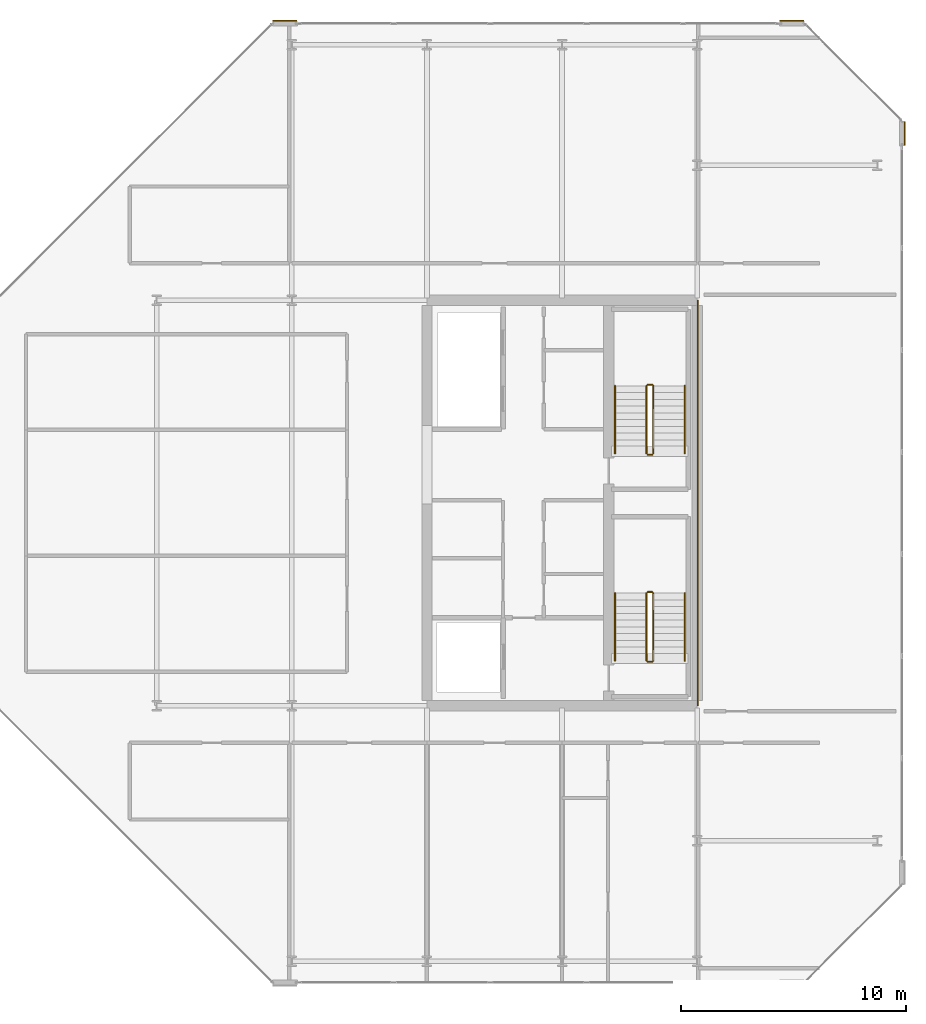
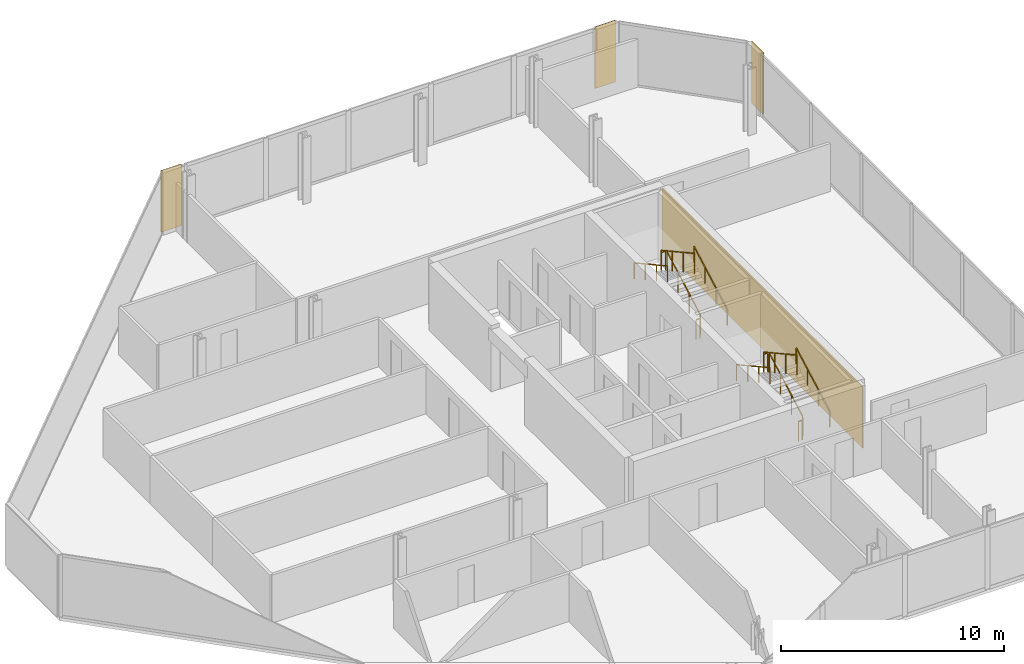
# One storey, part 17 of 17: 12 railings, 4 coverings.
"""IFC4 building model written with IfcOpenShell, lengths in metres."""

from ifc_helpers import new_model, si_unit, direction, frame, origin, origin_2d, place, context, subcontext, project, spatial, rectangle, extrude, material, layer, layer_set, type_object, element, save


model = new_model("IFC4")

# Units and contexts
model_context = context("Model", 3, precision=1e-05, world=origin(), true_north=direction((0.0, 1.0)))
body_context = subcontext(model_context, "Body", "Model", "MODEL_VIEW")
ifc_project = project(units=[si_unit("LENGTHUNIT", "METRE"), si_unit("AREAUNIT", "SQUARE_METRE"), si_unit("VOLUMEUNIT", "CUBIC_METRE"), si_unit("PLANEANGLEUNIT", "RADIAN"), si_unit("MASSUNIT", "GRAM", prefix="KILO")], contexts=[model_context])

# Site, building, storey
site_placement = place(None, origin())
site = spatial("IfcSite", under=ifc_project, at=site_placement, CompositionType="ELEMENT")
building_placement = place(site_placement, origin())
building = spatial("IfcBuilding", under=site, at=building_placement, Name="Tanjung Sevakor Pilgrim Tower", CompositionType="ELEMENT")
storey_placement = place(building_placement, frame((0.0, 0.0, 267.9599609375)))
storey = spatial("IfcBuildingStorey", under=building, at=storey_placement, Name="L75", CompositionType="ELEMENT", Elevation=267.9599609375)

# Coverings
ifc_material_1 = material(Name="Reconstructed Limestone Cladding", Category="masonry")
ifc_layer = layer(ifc_material_1, 0.044921875)
ifc_layer_set = layer_set([ifc_layer], Name="COV-CLAD-LIMESTONE")
covering_type = type_object("IfcCoveringType", Name="COV-CLAD-LIMESTONE", PredefinedType="CLADDING", material=ifc_layer_set)
for number, where, z_axis, x_axis, name in (
    (1, (99.222412109375, 50.00439453125, 0.02001953125), (0.0, 0.0, 1.0), (0.0, 1.0, 0.0), "L75 Warm Limestone Wall Cladding EW-CRN2-L75-EAST-2-1"),
    (2, (94.204345703125, 55.0224609375, 0.02001953125), (0.0, 0.0, 1.0), (-1.0, 0.0, 0.0), "L75 Warm Limestone Wall Cladding EW-CRN1-L75-EAST-4-1"),
    (3, (71.695556640625, 55.0224609375, 0.02001953125), (0.0, 0.0, 1.0), (-1.0, 0.0, 0.0), "L75 Warm Limestone Wall Cladding EW-CRN2-L75-EAST-4-1"),
):
    element("IfcCovering", number, at=place(storey_placement, frame(where, z_axis=z_axis, x_axis=x_axis)), inside=storey, type_object=covering_type, Name=name, PredefinedType="CLADDING", context=body_context, shape_type="SweptSolid", body=[
        extrude(rectangle(XDim=1.06005859375, YDim=0.044921875, at=origin_2d()), origin(), (0.0, 0.0, 1.0), 3.3701171875),
    ])
covering_placement = place(storey_placement, frame((90.0224609375, 33.60009765625, 0.02001953125), z_axis=(0.0, 0.0, 1.0), x_axis=(1.0, 0.0, 0.0)))
element("IfcCovering", 4, at=covering_placement, inside=storey, type_object=covering_type, Name="L75 Expressed Core Warm Limestone Cladding E", PredefinedType="CLADDING", context=body_context, shape_type="SweptSolid", body=[
    extrude(rectangle(XDim=0.044921875, YDim=18.0, at=origin_2d()), origin(), (0.0, 0.0, 1.0), 3.3701171875),
])

# Railings
ifc_material_2 = material(Name="Steel S355J2", Category="steel")
railing_type_1 = type_object("IfcRailingType", Name="RL-STAIR-GUARD", PredefinedType="GUARDRAIL", material=ifc_material_2)
railing_1_placement = place(storey_placement, frame((88.050048828125, 26.60009765625, 0.1650390625)))
element("IfcRailing", 5, at=railing_1_placement, inside=storey, type_object=railing_type_1, Name="L75 TS-E1 stair guard 1", PredefinedType="GUARDRAIL", context=body_context, shape_type="SweptSolid", body=[
    extrude(rectangle(XDim=0.0479, YDim=0.0479), frame((0.0, 0.0, 1.076171875), z_axis=(0.0, 0.876227952683, 0.48189685093), x_axis=(-1.0, 0.0, 0.0)), (0.0, 0.0, 1.0), 3.423828125),
    extrude(rectangle(XDim=0.042, YDim=0.042), origin(), (0.0, 0.0, 1.0), 1.052001953125),
    extrude(rectangle(XDim=0.042, YDim=0.042), frame((0.0, 1.0, 0.550048828125)), (0.0, 0.0, 1.0), 1.052001953125),
    extrude(rectangle(XDim=0.042, YDim=0.042), frame((0.0, 2.0, 1.099853515625)), (0.0, 0.0, 1.0), 1.052001953125),
    extrude(rectangle(XDim=0.042, YDim=0.042), frame((0.0, 3.0, 1.64990234375)), (0.0, 0.0, 1.0), 1.052001953125),
])
railing_2_placement = place(storey_placement, frame((88.0, 29.64990234375, 1.81494140625)))
element("IfcRailing", 6, at=railing_2_placement, inside=storey, type_object=railing_type_1, Name="L75 TS-E1 stair guard 2", PredefinedType="GUARDRAIL", context=body_context, shape_type="SweptSolid", body=[
    extrude(rectangle(XDim=0.0479, YDim=0.0479), frame((0.0, 0.0, 1.076171875), z_axis=(-1.0, 0.0, 0.0), x_axis=(0.0, -1.0, 0.0)), (0.0, 0.0, 1.0), 0.199951171875),
    extrude(rectangle(XDim=0.042, YDim=0.042), origin(), (0.0, 0.0, 1.0), 1.052001953125),
    extrude(rectangle(XDim=0.042, YDim=0.042), frame((-0.199951171875, 0.0, 0.0)), (0.0, 0.0, 1.0), 1.052001953125),
])
railing_3_placement = place(storey_placement, frame((87.75, 29.60009765625, 1.97998046875)))
element("IfcRailing", 7, at=railing_3_placement, inside=storey, type_object=railing_type_1, Name="L75 TS-E1 stair guard 3", PredefinedType="GUARDRAIL", context=body_context, shape_type="SweptSolid", body=[
    extrude(rectangle(XDim=0.0479, YDim=0.0479), frame((0.0, 0.0, 1.076171875), z_axis=(0.0, -0.876197842262, 0.481951596342), x_axis=(1.0, 0.0, 0.0)), (0.0, 0.0, 1.0), 3.423828125),
    extrude(rectangle(XDim=0.042, YDim=0.042), origin(), (0.0, 0.0, 1.0), 1.052001953125),
    extrude(rectangle(XDim=0.042, YDim=0.042), frame((0.0, -1.0, 0.550048828125)), (0.0, 0.0, 1.0), 1.052001953125),
    extrude(rectangle(XDim=0.042, YDim=0.042), frame((0.0, -2.0, 1.10009765625)), (0.0, 0.0, 1.0), 1.052001953125),
    extrude(rectangle(XDim=0.042, YDim=0.042), frame((0.0, -3.0, 1.650146484375)), (0.0, 0.0, 1.0), 1.052001953125),
])
railing_4_placement = place(storey_placement, frame((88.0, 26.550048828125, 0.0)))
element("IfcRailing", 8, at=railing_4_placement, inside=storey, type_object=railing_type_1, Name="L75 TS-E1 stair guard 4", PredefinedType="GUARDRAIL", context=body_context, shape_type="SweptSolid", body=[
    extrude(rectangle(XDim=0.0479, YDim=0.0479), frame((0.0, 0.0, 1.076171875), z_axis=(-1.0, 0.0, 0.0), x_axis=(0.0, -1.0, 0.0)), (0.0, 0.0, 1.0), 0.199951171875),
    extrude(rectangle(XDim=0.042, YDim=0.042), origin(), (0.0, 0.0, 1.0), 1.052001953125),
    extrude(rectangle(XDim=0.042, YDim=0.042), frame((-0.199951171875, 0.0, 0.0)), (0.0, 0.0, 1.0), 1.052001953125),
])
railing_5_placement = place(storey_placement, frame((88.050048828125, 35.800048828125, 0.1650390625)))
element("IfcRailing", 9, at=railing_5_placement, inside=storey, type_object=railing_type_1, Name="L75 TS-E2 stair guard 1", PredefinedType="GUARDRAIL", context=body_context, shape_type="SweptSolid", body=[
    extrude(rectangle(XDim=0.0479, YDim=0.0479), frame((0.0, 0.0, 1.076171875), z_axis=(0.0, 0.876227952683, 0.48189685093), x_axis=(-1.0, 0.0, 0.0)), (0.0, 0.0, 1.0), 3.423828125),
    extrude(rectangle(XDim=0.042, YDim=0.042), origin(), (0.0, 0.0, 1.0), 1.052001953125),
    extrude(rectangle(XDim=0.042, YDim=0.042), frame((0.0, 1.0, 0.550048828125)), (0.0, 0.0, 1.0), 1.052001953125),
    extrude(rectangle(XDim=0.042, YDim=0.042), frame((0.0, 2.0, 1.099853515625)), (0.0, 0.0, 1.0), 1.052001953125),
    extrude(rectangle(XDim=0.042, YDim=0.042), frame((0.0, 3.0, 1.64990234375)), (0.0, 0.0, 1.0), 1.052001953125),
])
railing_6_placement = place(storey_placement, frame((88.0, 38.85009765625, 1.81494140625)))
element("IfcRailing", 10, at=railing_6_placement, inside=storey, type_object=railing_type_1, Name="L75 TS-E2 stair guard 2", PredefinedType="GUARDRAIL", context=body_context, shape_type="SweptSolid", body=[
    extrude(rectangle(XDim=0.0479, YDim=0.0479), frame((0.0, 0.0, 1.076171875), z_axis=(-1.0, 0.0, 0.0), x_axis=(0.0, -1.0, 0.0)), (0.0, 0.0, 1.0), 0.199951171875),
    extrude(rectangle(XDim=0.042, YDim=0.042), origin(), (0.0, 0.0, 1.0), 1.052001953125),
    extrude(rectangle(XDim=0.042, YDim=0.042), frame((-0.199951171875, 0.0, 0.0)), (0.0, 0.0, 1.0), 1.052001953125),
])
railing_7_placement = place(storey_placement, frame((87.75, 38.800048828125, 1.97998046875)))
element("IfcRailing", 11, at=railing_7_placement, inside=storey, type_object=railing_type_1, Name="L75 TS-E2 stair guard 3", PredefinedType="GUARDRAIL", context=body_context, shape_type="SweptSolid", body=[
    extrude(rectangle(XDim=0.0479, YDim=0.0479), frame((0.0, 0.0, 1.076171875), z_axis=(0.0, -0.876197842262, 0.481951596342), x_axis=(1.0, 0.0, 0.0)), (0.0, 0.0, 1.0), 3.423828125),
    extrude(rectangle(XDim=0.042, YDim=0.042), origin(), (0.0, 0.0, 1.0), 1.052001953125),
    extrude(rectangle(XDim=0.042, YDim=0.042), frame((0.0, -1.0, 0.550048828125)), (0.0, 0.0, 1.0), 1.052001953125),
    extrude(rectangle(XDim=0.042, YDim=0.042), frame((0.0, -2.0, 1.10009765625)), (0.0, 0.0, 1.0), 1.052001953125),
    extrude(rectangle(XDim=0.042, YDim=0.042), frame((0.0, -3.0, 1.650146484375)), (0.0, 0.0, 1.0), 1.052001953125),
])
railing_8_placement = place(storey_placement, frame((88.0, 35.75, 0.0)))
element("IfcRailing", 12, at=railing_8_placement, inside=storey, type_object=railing_type_1, Name="L75 TS-E2 stair guard 4", PredefinedType="GUARDRAIL", context=body_context, shape_type="SweptSolid", body=[
    extrude(rectangle(XDim=0.0479, YDim=0.0479), frame((0.0, 0.0, 1.076171875), z_axis=(-1.0, 0.0, 0.0), x_axis=(0.0, -1.0, 0.0)), (0.0, 0.0, 1.0), 0.199951171875),
    extrude(rectangle(XDim=0.042, YDim=0.042), origin(), (0.0, 0.0, 1.0), 1.052001953125),
    extrude(rectangle(XDim=0.042, YDim=0.042), frame((-0.199951171875, 0.0, 0.0)), (0.0, 0.0, 1.0), 1.052001953125),
])
ifc_material_3 = material(Name="Steel S355J2", Category="steel")
railing_type_2 = type_object("IfcRailingType", Name="RL-STAIR-HAND", PredefinedType="HANDRAIL", material=ifc_material_3)
railing_9_placement = place(storey_placement, frame((89.449951171875, 26.60009765625, 0.1650390625)))
element("IfcRailing", 13, at=railing_9_placement, inside=storey, type_object=railing_type_2, Name="L75 TS-E1 stair handrail 1", PredefinedType="HANDRAIL", context=body_context, shape_type="SweptSolid", body=[
    extrude(rectangle(XDim=0.0479, YDim=0.0479), frame((0.0, 0.0, 0.8759765625), z_axis=(0.0, 0.876227952683, 0.48189685093), x_axis=(-1.0, 0.0, 0.0)), (0.0, 0.0, 1.0), 3.423828125),
    extrude(rectangle(XDim=0.042, YDim=0.042), origin(), (0.0, 0.0, 1.0), 0.851806640625),
    extrude(rectangle(XDim=0.042, YDim=0.042), frame((0.0, 1.0, 0.550048828125)), (0.0, 0.0, 1.0), 0.851806640625),
    extrude(rectangle(XDim=0.042, YDim=0.042), frame((0.0, 2.0, 1.099853515625)), (0.0, 0.0, 1.0), 0.851806640625),
    extrude(rectangle(XDim=0.042, YDim=0.042), frame((0.0, 3.0, 1.64990234375)), (0.0, 0.0, 1.0), 0.851806640625),
])
railing_10_placement = place(storey_placement, frame((86.35009765625, 29.60009765625, 1.97998046875)))
element("IfcRailing", 14, at=railing_10_placement, inside=storey, type_object=railing_type_2, Name="L75 TS-E1 stair handrail 2", PredefinedType="HANDRAIL", context=body_context, shape_type="SweptSolid", body=[
    extrude(rectangle(XDim=0.0479, YDim=0.0479), frame((0.0, 0.0, 0.8759765625), z_axis=(0.0, -0.876197842262, 0.481951596342), x_axis=(1.0, 0.0, 0.0)), (0.0, 0.0, 1.0), 3.423828125),
    extrude(rectangle(XDim=0.042, YDim=0.042), origin(), (0.0, 0.0, 1.0), 0.851806640625),
    extrude(rectangle(XDim=0.042, YDim=0.042), frame((0.0, -1.0, 0.550048828125)), (0.0, 0.0, 1.0), 0.851806640625),
    extrude(rectangle(XDim=0.042, YDim=0.042), frame((0.0, -2.0, 1.10009765625)), (0.0, 0.0, 1.0), 0.851806640625),
    extrude(rectangle(XDim=0.042, YDim=0.042), frame((0.0, -3.0, 1.650146484375)), (0.0, 0.0, 1.0), 0.851806640625),
])
railing_11_placement = place(storey_placement, frame((89.449951171875, 35.800048828125, 0.1650390625)))
element("IfcRailing", 15, at=railing_11_placement, inside=storey, type_object=railing_type_2, Name="L75 TS-E2 stair handrail 1", PredefinedType="HANDRAIL", context=body_context, shape_type="SweptSolid", body=[
    extrude(rectangle(XDim=0.0479, YDim=0.0479), frame((0.0, 0.0, 0.8759765625), z_axis=(0.0, 0.876227952683, 0.48189685093), x_axis=(-1.0, 0.0, 0.0)), (0.0, 0.0, 1.0), 3.423828125),
    extrude(rectangle(XDim=0.042, YDim=0.042), origin(), (0.0, 0.0, 1.0), 0.851806640625),
    extrude(rectangle(XDim=0.042, YDim=0.042), frame((0.0, 1.0, 0.550048828125)), (0.0, 0.0, 1.0), 0.851806640625),
    extrude(rectangle(XDim=0.042, YDim=0.042), frame((0.0, 2.0, 1.099853515625)), (0.0, 0.0, 1.0), 0.851806640625),
    extrude(rectangle(XDim=0.042, YDim=0.042), frame((0.0, 3.0, 1.64990234375)), (0.0, 0.0, 1.0), 0.851806640625),
])
railing_12_placement = place(storey_placement, frame((86.35009765625, 38.800048828125, 1.97998046875)))
element("IfcRailing", 16, at=railing_12_placement, inside=storey, type_object=railing_type_2, Name="L75 TS-E2 stair handrail 2", PredefinedType="HANDRAIL", context=body_context, shape_type="SweptSolid", body=[
    extrude(rectangle(XDim=0.0479, YDim=0.0479), frame((0.0, 0.0, 0.8759765625), z_axis=(0.0, -0.876197842262, 0.481951596342), x_axis=(1.0, 0.0, 0.0)), (0.0, 0.0, 1.0), 3.423828125),
    extrude(rectangle(XDim=0.042, YDim=0.042), origin(), (0.0, 0.0, 1.0), 0.851806640625),
    extrude(rectangle(XDim=0.042, YDim=0.042), frame((0.0, -1.0, 0.550048828125)), (0.0, 0.0, 1.0), 0.851806640625),
    extrude(rectangle(XDim=0.042, YDim=0.042), frame((0.0, -2.0, 1.10009765625)), (0.0, 0.0, 1.0), 0.851806640625),
    extrude(rectangle(XDim=0.042, YDim=0.042), frame((0.0, -3.0, 1.650146484375)), (0.0, 0.0, 1.0), 0.851806640625),
])

save(model, "model.ifc")
